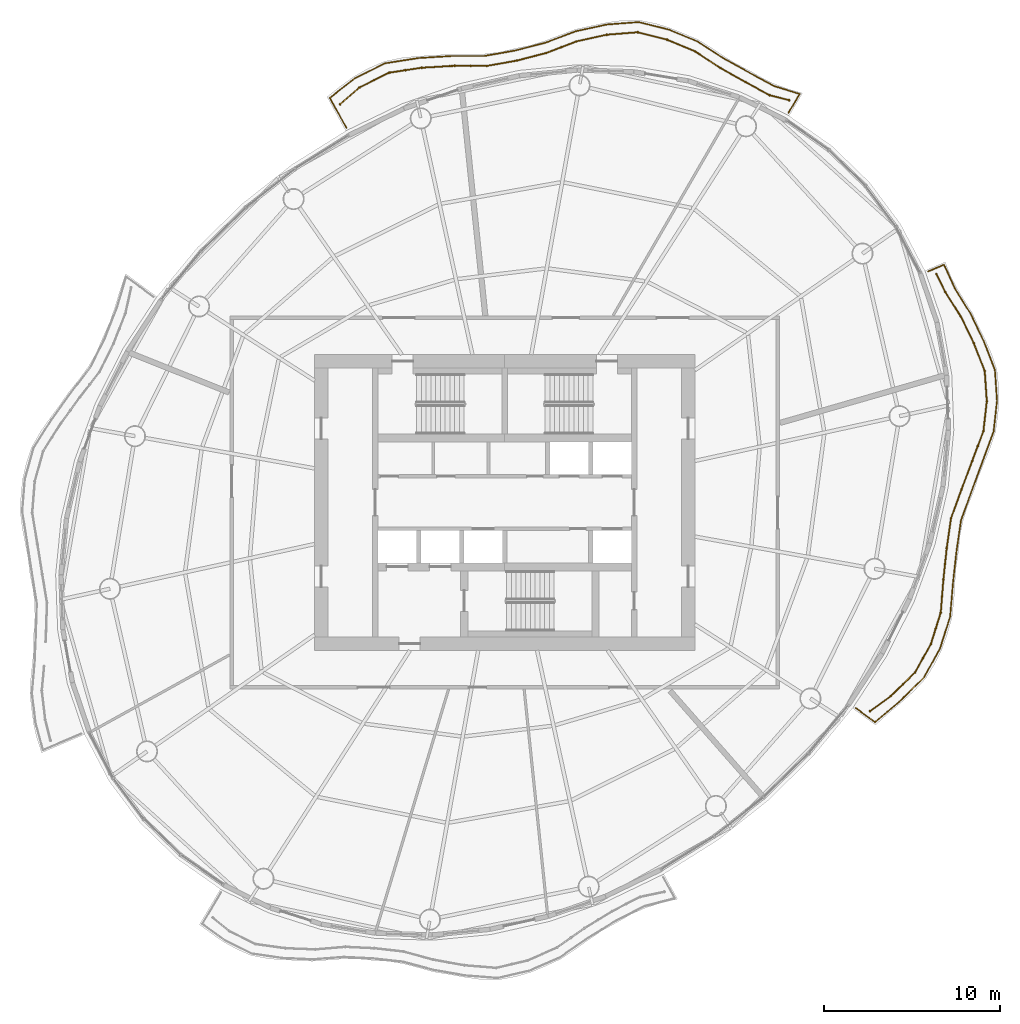
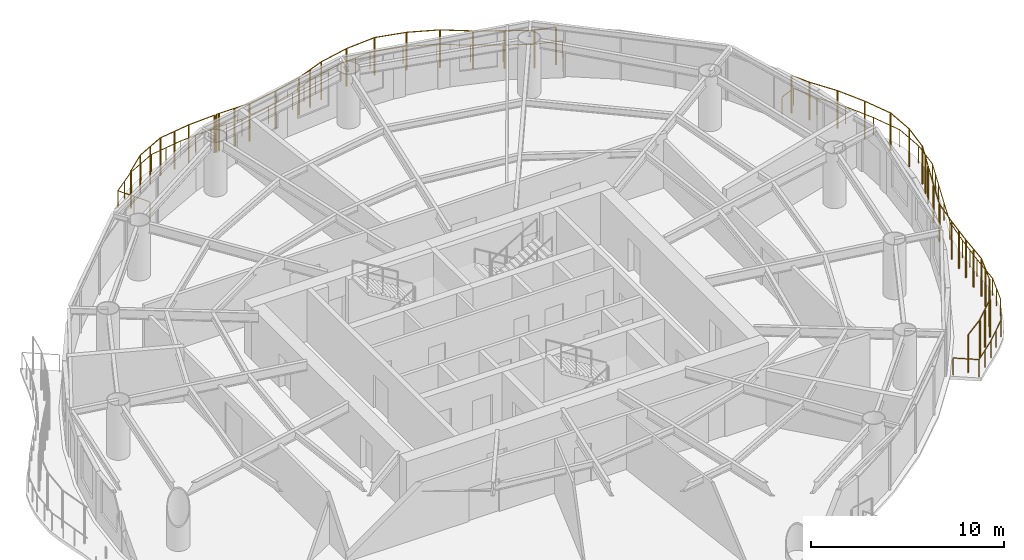
# One storey, part 14 of 14: 5 railings.
"""IFC4 building model written with IfcOpenShell, lengths in metres."""

from ifc_helpers import new_model, si_unit, direction, frame, origin, origin_2d, place, context, subcontext, project, spatial, circle, extrude, material, type_object, element, save


model = new_model("IFC4")

# Units and contexts
model_context = context("Model", 3, precision=1e-05, world=origin(), true_north=direction((0.0, 1.0)))
body_context = subcontext(model_context, "Body", "Model", "MODEL_VIEW")
ifc_project = project(units=[si_unit("LENGTHUNIT", "METRE"), si_unit("AREAUNIT", "SQUARE_METRE"), si_unit("VOLUMEUNIT", "CUBIC_METRE"), si_unit("PLANEANGLEUNIT", "RADIAN"), si_unit("MASSUNIT", "GRAM", prefix="KILO")], contexts=[model_context])

# Site, building, storey
site_placement = place(None, origin())
site = spatial("IfcSite", under=ifc_project, at=site_placement, CompositionType="ELEMENT")
building_placement = place(site_placement, origin())
building = spatial("IfcBuilding", under=site, at=building_placement, Name="Vermilion Reach Broadcast Tower", CompositionType="ELEMENT")
storey_placement = place(building_placement, frame((0.0, 0.0, 199.300048828125)))
storey = spatial("IfcBuildingStorey", under=building, at=storey_placement, Name="L48", CompositionType="ELEMENT", Elevation=199.300048828125)

# Railings
ifc_material_1 = material(Name="Terracotta baguette", Category="masonry")
railing_type_1 = type_object("IfcRailingType", Name="BAGUETTE SCREEN", PredefinedType="USERDEFINED", material=ifc_material_1)
railing_1_placement = place(storey_placement, frame((10.15673828125, 22.84716796875, 0.0)))
element("IfcRailing", 1, at=railing_1_placement, inside=storey, type_object=railing_type_1, Name="Baguette screen L48 group 1 part 1", ObjectType="BAGUETTE SCREEN", PredefinedType="USERDEFINED", context=body_context, shape_type="SweptSolid", body=[
    extrude(circle(Radius=0.030029296875, at=origin_2d()), frame((0.0, 0.0, 2.369873046875), z_axis=(-0.968046551982, 0.25077055887, 0.0), x_axis=(-0.25077055887, -0.968046551982, 0.0)), (0.0, 0.0, 1.0), 1.149658203125),
    extrude(circle(Radius=0.030029296875, at=origin_2d()), frame((-1.113037109375, 0.288330078125, 2.369873046875), z_axis=(-0.879651727928, 0.47561837386, 0.0), x_axis=(-0.47561837386, -0.879651727928, 0.0)), (0.0, 0.0, 1.0), 1.56201171875),
    extrude(circle(Radius=0.030029296875, at=origin_2d()), frame((-2.487060546875, 1.03125, 2.369873046875), z_axis=(-0.871703771333, 0.4900331979, 0.0), x_axis=(-0.4900331979, -0.871703771333, 0.0)), (0.0, 0.0, 1.0), 1.626708984375),
    extrude(circle(Radius=0.030029296875, at=origin_2d()), frame((-3.905029296875, 1.828369140625, 2.369873046875), z_axis=(-0.835066952955, 0.550148329164, 0.0), x_axis=(-0.550148329164, -0.835066952955, 0.0)), (0.0, 0.0, 1.0), 1.711181640625),
    extrude(circle(Radius=0.030029296875, at=origin_2d()), frame((-5.333984375, 2.769775390625, 2.369873046875), z_axis=(-0.922537898151, 0.385906499654, 0.0), x_axis=(-0.385906499654, -0.922537898151, 0.0)), (0.0, 0.0, 1.0), 1.7314453125),
    extrude(circle(Radius=0.030029296875, at=origin_2d()), frame((-6.931396484375, 3.43798828125, 2.369873046875), z_axis=(-0.9694466683, 0.245302175534, 0.0), x_axis=(-0.245302175534, -0.9694466683, 0.0)), (0.0, 0.0, 1.0), 1.722900390625),
    extrude(circle(Radius=0.030029296875, at=origin_2d()), frame((-8.6015625, 3.860595703125, 2.369873046875), z_axis=(-0.996957117387, -0.077951947319, 0.0), x_axis=(0.077951947319, -0.996957117387, 0.0)), (0.0, 0.0, 1.0), 1.76953125),
    extrude(circle(Radius=0.030029296875, at=origin_2d()), frame((-10.36572265625, 3.72265625, 2.369873046875), z_axis=(-0.976355874564, -0.216169392386, 0.0), x_axis=(0.216169392386, -0.976355874564, 0.0)), (0.0, 0.0, 1.0), 1.766357421875),
    extrude(circle(Radius=0.030029296875, at=origin_2d()), frame((-12.09033203125, 3.3408203125, 2.369873046875), z_axis=(-0.933773769887, -0.357863866114, 0.0), x_axis=(0.357863866114, -0.933773769887, 0.0)), (0.0, 0.0, 1.0), 1.819580078125),
    extrude(circle(Radius=0.030029296875, at=origin_2d()), frame((-13.789306640625, 2.689697265625, 2.369873046875), z_axis=(-0.967438239391, -0.253107196588, 0.0), x_axis=(0.253107196588, -0.967438239391, 0.0)), (0.0, 0.0, 1.0), 1.7255859375),
    extrude(circle(Radius=0.030029296875, at=origin_2d()), frame((-15.458740234375, 2.2529296875, 2.369873046875), z_axis=(-0.984768064636, -0.173873111412, 0.0), x_axis=(0.173873111412, -0.984768064636, 0.0)), (0.0, 0.0, 1.0), 1.745361328125),
    extrude(circle(Radius=0.030029296875, at=origin_2d()), frame((-17.177490234375, 1.949462890625, 2.369873046875), z_axis=(-0.99999434845, 0.003362003592, 0.0), x_axis=(-0.003362003592, -0.99999434845, 0.0)), (0.0, 0.0, 1.0), 1.8154296875),
    extrude(circle(Radius=0.030029296875, at=origin_2d()), frame((-18.992919921875, 1.95556640625, 2.369873046875), z_axis=(-0.99836151774, -0.057221323792, 0.0), x_axis=(0.057221323792, -0.99836151774, 0.0)), (0.0, 0.0, 1.0), 0.162109375),
    extrude(circle(Radius=0.050048828125, at=origin_2d()), origin(), (0.0, 0.0, 1.0), 2.33984375),
    extrude(circle(Radius=0.050048828125, at=origin_2d()), frame((-1.113037109375, 0.288330078125, 0.0)), (0.0, 0.0, 1.0), 2.33984375),
    extrude(circle(Radius=0.050048828125, at=origin_2d()), frame((-2.487060546875, 1.03125, 0.0)), (0.0, 0.0, 1.0), 2.33984375),
    extrude(circle(Radius=0.050048828125, at=origin_2d()), frame((-3.905029296875, 1.828369140625, 0.0)), (0.0, 0.0, 1.0), 2.33984375),
    extrude(circle(Radius=0.050048828125, at=origin_2d()), frame((-5.333984375, 2.769775390625, 0.0)), (0.0, 0.0, 1.0), 2.33984375),
    extrude(circle(Radius=0.050048828125, at=origin_2d()), frame((-6.931396484375, 3.43798828125, 0.0)), (0.0, 0.0, 1.0), 2.33984375),
    extrude(circle(Radius=0.050048828125, at=origin_2d()), frame((-8.6015625, 3.860595703125, 0.0)), (0.0, 0.0, 1.0), 2.33984375),
    extrude(circle(Radius=0.050048828125, at=origin_2d()), frame((-10.36572265625, 3.72265625, 0.0)), (0.0, 0.0, 1.0), 2.33984375),
    extrude(circle(Radius=0.050048828125, at=origin_2d()), frame((-12.09033203125, 3.3408203125, 0.0)), (0.0, 0.0, 1.0), 2.33984375),
    extrude(circle(Radius=0.050048828125, at=origin_2d()), frame((-12.93994140625, 3.01513671875, 0.0)), (0.0, 0.0, 1.0), 2.33984375),
    extrude(circle(Radius=0.050048828125, at=origin_2d()), frame((-13.789306640625, 2.689697265625, 0.0)), (0.0, 0.0, 1.0), 2.33984375),
    extrude(circle(Radius=0.050048828125, at=origin_2d()), frame((-15.458740234375, 2.2529296875, 0.0)), (0.0, 0.0, 1.0), 2.33984375),
    extrude(circle(Radius=0.050048828125, at=origin_2d()), frame((-17.177490234375, 1.949462890625, 0.0)), (0.0, 0.0, 1.0), 2.33984375),
    extrude(circle(Radius=0.050048828125, at=origin_2d()), frame((-18.085205078125, 1.95263671875, 0.0)), (0.0, 0.0, 1.0), 2.33984375),
    extrude(circle(Radius=0.050048828125, at=origin_2d()), frame((-18.992919921875, 1.95556640625, 0.0)), (0.0, 0.0, 1.0), 2.33984375),
    extrude(circle(Radius=0.050048828125, at=origin_2d()), frame((-19.15478515625, 1.9462890625, 0.0)), (0.0, 0.0, 1.0), 2.33984375),
])
railing_2_placement = place(storey_placement, frame((-9.12060546875, 24.786376953125, 0.0)))
element("IfcRailing", 2, at=railing_2_placement, inside=storey, type_object=railing_type_1, Name="Baguette screen L48 group 1 part 2", ObjectType="BAGUETTE SCREEN", PredefinedType="USERDEFINED", context=body_context, shape_type="SweptSolid", body=[
    extrude(circle(Radius=0.030029296875, at=origin_2d()), frame((0.0, 0.0, 2.369873046875), z_axis=(-0.998346545631, -0.05748195219, 0.0), x_axis=(0.05748195219, -0.998346545631, 0.0)), (0.0, 0.0, 1.0), 1.5927734375),
    extrude(circle(Radius=0.030029296875, at=origin_2d()), frame((-1.590087890625, -0.091552734375, 2.369873046875), z_axis=(-0.988518056474, -0.151102786294, 0.0), x_axis=(0.151102786294, -0.988518056474, 0.0)), (0.0, 0.0, 1.0), 1.884033203125),
    extrude(circle(Radius=0.030029296875, at=origin_2d()), frame((-3.452392578125, -0.376220703125, 2.369873046875), z_axis=(-0.895386091584, -0.445290632058, 0.0), x_axis=(0.445290632058, -0.895386091584, 0.0)), (0.0, 0.0, 1.0), 1.880126953125),
    extrude(circle(Radius=0.030029296875, at=origin_2d()), frame((-5.1357421875, -1.21337890625, 2.369873046875), z_axis=(-0.754764343507, -0.655996025728, 0.0), x_axis=(0.655996025728, -0.754764343507, 0.0)), (0.0, 0.0, 1.0), 1.455810546875),
    extrude(circle(Radius=0.050048828125, at=origin_2d()), origin(), (0.0, 0.0, 1.0), 2.33984375),
    extrude(circle(Radius=0.050048828125, at=origin_2d()), frame((-1.590087890625, -0.091552734375, 0.0)), (0.0, 0.0, 1.0), 2.33984375),
    extrude(circle(Radius=0.050048828125, at=origin_2d()), frame((-2.521240234375, -0.23388671875, 0.0)), (0.0, 0.0, 1.0), 2.33984375),
    extrude(circle(Radius=0.050048828125, at=origin_2d()), frame((-3.452392578125, -0.376220703125, 0.0)), (0.0, 0.0, 1.0), 2.33984375),
    extrude(circle(Radius=0.050048828125, at=origin_2d()), frame((-4.2939453125, -0.794921875, 0.0)), (0.0, 0.0, 1.0), 2.33984375),
    extrude(circle(Radius=0.050048828125, at=origin_2d()), frame((-5.1357421875, -1.21337890625, 0.0)), (0.0, 0.0, 1.0), 2.33984375),
    extrude(circle(Radius=0.050048828125, at=origin_2d()), frame((-6.234619140625, -2.16845703125, 0.0)), (0.0, 0.0, 1.0), 2.33984375),
])
railing_3_placement = place(storey_placement, frame((14.739990234375, -11.855224609375, 0.0)))
element("IfcRailing", 3, at=railing_3_placement, inside=storey, type_object=railing_type_1, Name="Baguette screen L48 group 4", ObjectType="BAGUETTE SCREEN", PredefinedType="USERDEFINED", context=body_context, shape_type="SweptSolid", body=[
    extrude(circle(Radius=0.030029296875, at=origin_2d()), frame((0.0, 0.0, 2.369873046875), z_axis=(0.809511691652, 0.587103756656, 0.0), x_axis=(-0.587103756656, 0.809511691652, 0.0)), (0.0, 0.0, 1.0), 1.46875),
    extrude(circle(Radius=0.030029296875, at=origin_2d()), frame((1.18896484375, 0.8623046875, 2.369873046875), z_axis=(0.716502919076, 0.697584093107, 0.0), x_axis=(-0.697584093107, 0.716502919076, 0.0)), (0.0, 0.0, 1.0), 1.9228515625),
    extrude(circle(Radius=0.030029296875, at=origin_2d()), frame((2.566650390625, 2.20361328125, 2.369873046875), z_axis=(0.48543006018, 0.874275503874, 0.0), x_axis=(-0.874275503874, 0.48543006018, 0.0)), (0.0, 0.0, 1.0), 1.850341796875),
    extrude(circle(Radius=0.030029296875, at=origin_2d()), frame((3.46484375, 3.8212890625, 2.369873046875), z_axis=(0.300661092049, 0.953731045803, 0.0), x_axis=(-0.953731045803, 0.300661092049, 0.0)), (0.0, 0.0, 1.0), 1.863525390625),
    extrude(circle(Radius=0.030029296875, at=origin_2d()), frame((4.025146484375, 5.5986328125, 2.369873046875), z_axis=(0.078739988629, 0.996895187164, 0.0), x_axis=(-0.996895187164, 0.078739988629, 0.0)), (0.0, 0.0, 1.0), 1.872802734375),
    extrude(circle(Radius=0.030029296875, at=origin_2d()), frame((4.172607421875, 7.465576171875, 2.369873046875), z_axis=(0.105501487107, 0.994419145139, 0.0), x_axis=(-0.994419145139, 0.105501487107, 0.0)), (0.0, 0.0, 1.0), 1.804931640625),
    extrude(circle(Radius=0.030029296875, at=origin_2d()), frame((4.363037109375, 9.260498046875, 2.369873046875), z_axis=(0.142396175651, 0.989809743921, 0.0), x_axis=(-0.989809743921, 0.142396175651, 0.0)), (0.0, 0.0, 1.0), 1.718017578125),
    extrude(circle(Radius=0.030029296875, at=origin_2d()), frame((4.607666015625, 10.9609375, 2.369873046875), z_axis=(0.343090076453, 0.939302506885, 0.0), x_axis=(-0.939302506885, 0.343090076453, 0.0)), (0.0, 0.0, 1.0), 1.731201171875),
    extrude(circle(Radius=0.030029296875, at=origin_2d()), frame((5.20166015625, 12.587158203125, 2.369873046875), z_axis=(0.350151204813, 0.936693190841, 0.0), x_axis=(-0.936693190841, 0.350151204813, 0.0)), (0.0, 0.0, 1.0), 1.734130859375),
    extrude(circle(Radius=0.030029296875, at=origin_2d()), frame((5.808837890625, 14.21142578125, 2.369873046875), z_axis=(0.353216125427, 0.935541751467, 0.0), x_axis=(-0.935541751467, 0.353216125427, 0.0)), (0.0, 0.0, 1.0), 1.802001953125),
    extrude(circle(Radius=0.030029296875, at=origin_2d()), frame((6.4453125, 15.897216796875, 2.369873046875), z_axis=(0.113286015344, 0.993562418134, 0.0), x_axis=(-0.993562418134, 0.113286015344, 0.0)), (0.0, 0.0, 1.0), 1.717529296875),
    extrude(circle(Radius=0.030029296875, at=origin_2d()), frame((6.639892578125, 17.603759765625, 2.369873046875), z_axis=(-0.06757427168, 0.997714246569, 0.0), x_axis=(-0.997714246569, -0.06757427168, 0.0)), (0.0, 0.0, 1.0), 1.7197265625),
    extrude(circle(Radius=0.030029296875, at=origin_2d()), frame((6.523681640625, 19.319580078125, 2.369873046875), z_axis=(-0.366225452975, 0.930526150945, 0.0), x_axis=(-0.930526150945, -0.366225452975, 0.0)), (0.0, 0.0, 1.0), 1.71337890625),
    extrude(circle(Radius=0.030029296875, at=origin_2d()), frame((5.896240234375, 20.913818359375, 2.369873046875), z_axis=(-0.43847198821, 0.898744855649, 0.0), x_axis=(-0.898744855649, -0.43847198821, 0.0)), (0.0, 0.0, 1.0), 1.69091796875),
    extrude(circle(Radius=0.030029296875, at=origin_2d()), frame((5.15478515625, 22.43359375, 2.369873046875), z_axis=(-0.534485557604, 0.845177607792, 0.0), x_axis=(-0.845177607792, -0.534485557604, 0.0)), (0.0, 0.0, 1.0), 1.640625),
    extrude(circle(Radius=0.030029296875, at=origin_2d()), frame((4.27783203125, 23.8203125, 2.369873046875), z_axis=(-0.445026471926, 0.895517414284, 0.0), x_axis=(-0.895517414284, -0.445026471926, 0.0)), (0.0, 0.0, 1.0), 1.116943359375),
    extrude(circle(Radius=0.050048828125, at=origin_2d()), origin(), (0.0, 0.0, 1.0), 2.33984375),
    extrude(circle(Radius=0.050048828125, at=origin_2d()), frame((1.18896484375, 0.8623046875, 0.0)), (0.0, 0.0, 1.0), 2.33984375),
    extrude(circle(Radius=0.050048828125, at=origin_2d()), frame((1.8779296875, 1.532958984375, 0.0)), (0.0, 0.0, 1.0), 2.33984375),
    extrude(circle(Radius=0.050048828125, at=origin_2d()), frame((2.566650390625, 2.20361328125, 0.0)), (0.0, 0.0, 1.0), 2.33984375),
    extrude(circle(Radius=0.050048828125, at=origin_2d()), frame((3.015625, 3.012451171875, 0.0)), (0.0, 0.0, 1.0), 2.33984375),
    extrude(circle(Radius=0.050048828125, at=origin_2d()), frame((3.46484375, 3.8212890625, 0.0)), (0.0, 0.0, 1.0), 2.33984375),
    extrude(circle(Radius=0.050048828125, at=origin_2d()), frame((3.7451171875, 4.7099609375, 0.0)), (0.0, 0.0, 1.0), 2.33984375),
    extrude(circle(Radius=0.050048828125, at=origin_2d()), frame((4.025146484375, 5.5986328125, 0.0)), (0.0, 0.0, 1.0), 2.33984375),
    extrude(circle(Radius=0.050048828125, at=origin_2d()), frame((4.098876953125, 6.5322265625, 0.0)), (0.0, 0.0, 1.0), 2.33984375),
    extrude(circle(Radius=0.050048828125, at=origin_2d()), frame((4.172607421875, 7.465576171875, 0.0)), (0.0, 0.0, 1.0), 2.33984375),
    extrude(circle(Radius=0.050048828125, at=origin_2d()), frame((4.267822265625, 8.363037109375, 0.0)), (0.0, 0.0, 1.0), 2.33984375),
    extrude(circle(Radius=0.050048828125, at=origin_2d()), frame((4.363037109375, 9.260498046875, 0.0)), (0.0, 0.0, 1.0), 2.33984375),
    extrude(circle(Radius=0.050048828125, at=origin_2d()), frame((4.607666015625, 10.9609375, 0.0)), (0.0, 0.0, 1.0), 2.33984375),
    extrude(circle(Radius=0.050048828125, at=origin_2d()), frame((5.20166015625, 12.587158203125, 0.0)), (0.0, 0.0, 1.0), 2.33984375),
    extrude(circle(Radius=0.050048828125, at=origin_2d()), frame((5.808837890625, 14.21142578125, 0.0)), (0.0, 0.0, 1.0), 2.33984375),
    extrude(circle(Radius=0.050048828125, at=origin_2d()), frame((6.126953125, 15.05419921875, 0.0)), (0.0, 0.0, 1.0), 2.33984375),
    extrude(circle(Radius=0.050048828125, at=origin_2d()), frame((6.4453125, 15.897216796875, 0.0)), (0.0, 0.0, 1.0), 2.33984375),
    extrude(circle(Radius=0.050048828125, at=origin_2d()), frame((6.639892578125, 17.603759765625, 0.0)), (0.0, 0.0, 1.0), 2.33984375),
    extrude(circle(Radius=0.050048828125, at=origin_2d()), frame((6.523681640625, 19.319580078125, 0.0)), (0.0, 0.0, 1.0), 2.33984375),
    extrude(circle(Radius=0.050048828125, at=origin_2d()), frame((5.896240234375, 20.913818359375, 0.0)), (0.0, 0.0, 1.0), 2.33984375),
    extrude(circle(Radius=0.050048828125, at=origin_2d()), frame((5.15478515625, 22.43359375, 0.0)), (0.0, 0.0, 1.0), 2.33984375),
    extrude(circle(Radius=0.050048828125, at=origin_2d()), frame((4.27783203125, 23.8203125, 0.0)), (0.0, 0.0, 1.0), 2.33984375),
    extrude(circle(Radius=0.050048828125, at=origin_2d()), frame((3.78076171875, 24.820556640625, 0.0)), (0.0, 0.0, 1.0), 2.33984375),
])
ifc_material_2 = material(Name="Stainless steel 316 balustrade", Category="steel")
railing_type_2 = type_object("IfcRailingType", Name="Balcony guard 1100", PredefinedType="BALUSTRADE", material=ifc_material_2)
railing_4_placement = place(storey_placement, frame((10.12158203125, 22.142333984375, 0.0)))
element("IfcRailing", 4, at=railing_4_placement, inside=storey, type_object=railing_type_2, Name="Balcony guard L48 group 1", PredefinedType="BALUSTRADE", context=body_context, shape_type="SweptSolid", body=[
    extrude(circle(Radius=0.02490234375, at=origin_2d()), frame((0.0, 0.0, 1.0751953125), z_axis=(0.509758859788, 0.860317328006, 0.0), x_axis=(-0.860317328006, 0.509758859788, 0.0)), (0.0, 0.0, 1.0), 1.22998046875),
    extrude(circle(Radius=0.02490234375, at=origin_2d()), frame((0.626953125, 1.05810546875, 1.0751953125), z_axis=(-0.953992403044, 0.299830777162, 0.0), x_axis=(-0.299830777162, -0.953992403044, 0.0)), (0.0, 0.0, 1.0), 1.5185546875),
    extrude(circle(Radius=0.02490234375, at=origin_2d()), frame((-0.82177734375, 1.513427734375, 1.0751953125), z_axis=(-0.8805443517, 0.473963758835, 0.0), x_axis=(-0.473963758835, -0.8805443517, 0.0)), (0.0, 0.0, 1.0), 1.60498046875),
    extrude(circle(Radius=0.02490234375, at=origin_2d()), frame((-2.235107421875, 2.274169921875, 1.0751953125), z_axis=(-0.873777552348, 0.486325805416, 0.0), x_axis=(-0.486325805416, -0.873777552348, 0.0)), (0.0, 0.0, 1.0), 1.669189453125),
    extrude(circle(Radius=0.02490234375, at=origin_2d()), frame((-3.693603515625, 3.0859375, 1.0751953125), z_axis=(-0.839042162288, 0.544066402109, 0.0), x_axis=(-0.544066402109, -0.839042162288, 0.0)), (0.0, 0.0, 1.0), 1.75048828125),
    extrude(circle(Radius=0.02490234375, at=origin_2d()), frame((-5.162353515625, 4.038330078125, 1.0751953125), z_axis=(-0.924266710089, 0.381747362298, 0.0), x_axis=(-0.381747362298, -0.924266710089, 0.0)), (0.0, 0.0, 1.0), 1.772216796875),
    extrude(circle(Radius=0.02490234375, at=origin_2d()), frame((-6.80029296875, 4.71484375, 1.0751953125), z_axis=(-0.970044601616, 0.242926883805, 0.0), x_axis=(-0.242926883805, -0.970044601616, 0.0)), (0.0, 0.0, 1.0), 1.76171875),
    extrude(circle(Radius=0.02490234375, at=origin_2d()), frame((-8.50927734375, 5.142822265625, 1.0751953125), z_axis=(-0.997188727306, -0.07493091574, 0.0), x_axis=(0.07493091574, -0.997188727306, 0.0)), (0.0, 0.0, 1.0), 1.808349609375),
    extrude(circle(Radius=0.02490234375, at=origin_2d()), frame((-10.3125, 5.00732421875, 1.0751953125), z_axis=(-0.977314264577, -0.211794306471, 0.0), x_axis=(0.211794306471, -0.977314264577, 0.0)), (0.0, 0.0, 1.0), 1.802978515625),
    extrude(circle(Radius=0.02490234375, at=origin_2d()), frame((-12.074462890625, 4.62548828125, 1.0751953125), z_axis=(-0.935836094831, -0.352435531143, 0.0), x_axis=(0.352435531143, -0.935836094831, 0.0)), (0.0, 0.0, 1.0), 1.855224609375),
    extrude(circle(Radius=0.02490234375, at=origin_2d()), frame((-13.810546875, 3.9716796875, 1.0751953125), z_axis=(-0.968102854024, -0.250553116187, 0.0), x_axis=(0.250553116187, -0.968102854024, 0.0)), (0.0, 0.0, 1.0), 1.7607421875),
    extrude(circle(Radius=0.02490234375, at=origin_2d()), frame((-15.51513671875, 3.530517578125, 1.0751953125), z_axis=(-0.984726921946, -0.174105971164, 0.0), x_axis=(0.174105971164, -0.984726921946, 0.0)), (0.0, 0.0, 1.0), 1.78076171875),
    extrude(circle(Radius=0.02490234375, at=origin_2d()), frame((-17.268798828125, 3.220458984375, 1.0751953125), z_axis=(-0.999999293255, -0.001188902726, 0.0), x_axis=(0.001188902726, -0.999999293255, 0.0)), (0.0, 0.0, 1.0), 1.84814453125),
    extrude(circle(Radius=0.02490234375, at=origin_2d()), frame((-19.116943359375, 3.21826171875, 1.0751953125), z_axis=(-0.998077852845, -0.061972571838, 0.0), x_axis=(0.061972571838, -0.998077852845, 0.0)), (0.0, 0.0, 1.0), 1.91064453125),
    extrude(circle(Radius=0.02490234375, at=origin_2d()), frame((-21.02392578125, 3.099853515625, 1.0751953125), z_axis=(-0.987958517818, -0.15471899389, 0.0), x_axis=(0.15471899389, -0.987958517818, 0.0)), (0.0, 0.0, 1.0), 1.91552734375),
    extrude(circle(Radius=0.02490234375, at=origin_2d()), frame((-22.91650390625, 2.803466796875, 1.0751953125), z_axis=(-0.895725438012, -0.444607624426, 0.0), x_axis=(0.444607624426, -0.895725438012, 0.0)), (0.0, 0.0, 1.0), 1.91259765625),
    extrude(circle(Radius=0.02490234375, at=origin_2d()), frame((-24.629638671875, 1.953125, 1.0751953125), z_axis=(-0.787997756741, -0.615678110194, 0.0), x_axis=(0.615678110194, -0.787997756741, 0.0)), (0.0, 0.0, 1.0), 1.807861328125),
    extrude(circle(Radius=0.02490234375, at=origin_2d()), frame((-26.05419921875, 0.840087890625, 1.0751953125), z_axis=(0.483017331198, -0.875610791255, 0.0), x_axis=(0.875610791255, 0.483017331198, 0.0)), (0.0, 0.0, 1.0), 1.935791015625),
    extrude(circle(Radius=0.02490234375, at=origin_2d()), origin(), (0.0, 0.0, 1.0), 1.050048828125),
    extrude(circle(Radius=0.02490234375, at=origin_2d()), frame((0.626953125, 1.05810546875, 0.0)), (0.0, 0.0, 1.0), 1.050048828125),
    extrude(circle(Radius=0.02490234375, at=origin_2d()), frame((-0.82177734375, 1.513427734375, 0.0)), (0.0, 0.0, 1.0), 1.050048828125),
    extrude(circle(Radius=0.02490234375, at=origin_2d()), frame((-2.235107421875, 2.274169921875, 0.0)), (0.0, 0.0, 1.0), 1.050048828125),
    extrude(circle(Radius=0.02490234375, at=origin_2d()), frame((-3.693603515625, 3.0859375, 0.0)), (0.0, 0.0, 1.0), 1.050048828125),
    extrude(circle(Radius=0.02490234375, at=origin_2d()), frame((-5.162353515625, 4.038330078125, 0.0)), (0.0, 0.0, 1.0), 1.050048828125),
    extrude(circle(Radius=0.02490234375, at=origin_2d()), frame((-6.80029296875, 4.71484375, 0.0)), (0.0, 0.0, 1.0), 1.050048828125),
    extrude(circle(Radius=0.02490234375, at=origin_2d()), frame((-8.50927734375, 5.142822265625, 0.0)), (0.0, 0.0, 1.0), 1.050048828125),
    extrude(circle(Radius=0.02490234375, at=origin_2d()), frame((-9.410888671875, 5.0751953125, 0.0)), (0.0, 0.0, 1.0), 1.050048828125),
    extrude(circle(Radius=0.02490234375, at=origin_2d()), frame((-10.3125, 5.00732421875, 0.0)), (0.0, 0.0, 1.0), 1.050048828125),
    extrude(circle(Radius=0.02490234375, at=origin_2d()), frame((-11.193359375, 4.81640625, 0.0)), (0.0, 0.0, 1.0), 1.050048828125),
    extrude(circle(Radius=0.02490234375, at=origin_2d()), frame((-12.074462890625, 4.62548828125, 0.0)), (0.0, 0.0, 1.0), 1.050048828125),
    extrude(circle(Radius=0.02490234375, at=origin_2d()), frame((-12.9423828125, 4.298583984375, 0.0)), (0.0, 0.0, 1.0), 1.050048828125),
    extrude(circle(Radius=0.02490234375, at=origin_2d()), frame((-13.810546875, 3.9716796875, 0.0)), (0.0, 0.0, 1.0), 1.050048828125),
    extrude(circle(Radius=0.02490234375, at=origin_2d()), frame((-15.51513671875, 3.530517578125, 0.0)), (0.0, 0.0, 1.0), 1.050048828125),
    extrude(circle(Radius=0.02490234375, at=origin_2d()), frame((-17.268798828125, 3.220458984375, 0.0)), (0.0, 0.0, 1.0), 1.050048828125),
    extrude(circle(Radius=0.02490234375, at=origin_2d()), frame((-18.19287109375, 3.21923828125, 0.0)), (0.0, 0.0, 1.0), 1.050048828125),
    extrude(circle(Radius=0.02490234375, at=origin_2d()), frame((-19.116943359375, 3.21826171875, 0.0)), (0.0, 0.0, 1.0), 1.050048828125),
    extrude(circle(Radius=0.02490234375, at=origin_2d()), frame((-20.0703125, 3.1591796875, 0.0)), (0.0, 0.0, 1.0), 1.050048828125),
    extrude(circle(Radius=0.02490234375, at=origin_2d()), frame((-21.02392578125, 3.099853515625, 0.0)), (0.0, 0.0, 1.0), 1.050048828125),
    extrude(circle(Radius=0.02490234375, at=origin_2d()), frame((-21.97021484375, 2.95166015625, 0.0)), (0.0, 0.0, 1.0), 1.050048828125),
    extrude(circle(Radius=0.02490234375, at=origin_2d()), frame((-22.91650390625, 2.803466796875, 0.0)), (0.0, 0.0, 1.0), 1.050048828125),
    extrude(circle(Radius=0.02490234375, at=origin_2d()), frame((-23.77294921875, 2.37841796875, 0.0)), (0.0, 0.0, 1.0), 1.050048828125),
    extrude(circle(Radius=0.02490234375, at=origin_2d()), frame((-24.629638671875, 1.953125, 0.0)), (0.0, 0.0, 1.0), 1.050048828125),
    extrude(circle(Radius=0.02490234375, at=origin_2d()), frame((-25.341796875, 1.396484375, 0.0)), (0.0, 0.0, 1.0), 1.050048828125),
    extrude(circle(Radius=0.02490234375, at=origin_2d()), frame((-26.05419921875, 0.840087890625, 0.0)), (0.0, 0.0, 1.0), 1.050048828125),
    extrude(circle(Radius=0.02490234375, at=origin_2d()), frame((-25.586669921875, -0.00732421875, 0.0)), (0.0, 0.0, 1.0), 1.050048828125),
    extrude(circle(Radius=0.02490234375, at=origin_2d()), frame((-25.119140625, -0.85498046875, 0.0)), (0.0, 0.0, 1.0), 1.050048828125),
])
railing_5_placement = place(storey_placement, frame((13.943115234375, -11.678466796875, 0.0)))
element("IfcRailing", 5, at=railing_5_placement, inside=storey, type_object=railing_type_2, Name="Balcony guard L48 group 4", PredefinedType="BALUSTRADE", context=body_context, shape_type="SweptSolid", body=[
    extrude(circle(Radius=0.02490234375, at=origin_2d()), frame((0.0, 0.0, 1.0751953125), z_axis=(0.805735085397, -0.592276094537, 0.0), x_axis=(0.592276094537, 0.805735085397, 0.0)), (0.0, 0.0, 1.0), 1.344970703125),
    extrude(circle(Radius=0.02490234375, at=origin_2d()), frame((1.083740234375, -0.796630859375, 1.0751953125), z_axis=(0.765885367844, 0.642977140591, 0.0), x_axis=(-0.642977140591, 0.765885367844, 0.0)), (0.0, 0.0, 1.0), 1.8115234375),
    extrude(circle(Radius=0.02490234375, at=origin_2d()), frame((2.47119140625, 0.3681640625, 1.0751953125), z_axis=(0.713695651465, 0.700455935145, 0.0), x_axis=(-0.700455935145, 0.713695651465, 0.0)), (0.0, 0.0, 1.0), 1.95458984375),
    extrude(circle(Radius=0.02490234375, at=origin_2d()), frame((3.8662109375, 1.7373046875, 1.0751953125), z_axis=(0.485180497676, 0.874414023604, 0.0), x_axis=(-0.874414023604, 0.485180497676, 0.0)), (0.0, 0.0, 1.0), 1.883056640625),
    extrude(circle(Radius=0.02490234375, at=origin_2d()), frame((4.77978515625, 3.3837890625, 1.0751953125), z_axis=(0.302916825697, 0.953016997073, 0.0), x_axis=(-0.953016997073, 0.302916825697, 0.0)), (0.0, 0.0, 1.0), 1.897216796875),
    extrude(circle(Radius=0.02490234375, at=origin_2d()), frame((5.3544921875, 5.19189453125, 1.0751953125), z_axis=(0.083936289311, 0.996471123183, 0.0), x_axis=(-0.996471123183, 0.083936289311, 0.0)), (0.0, 0.0, 1.0), 1.9052734375),
    extrude(circle(Radius=0.02490234375, at=origin_2d()), frame((5.514404296875, 7.09033203125, 1.0751953125), z_axis=(0.109484712382, 0.993988479689, 0.0), x_axis=(-0.993988479689, 0.109484712382, 0.0)), (0.0, 0.0, 1.0), 1.839599609375),
    extrude(circle(Radius=0.02490234375, at=origin_2d()), frame((5.7158203125, 8.9189453125, 1.0751953125), z_axis=(0.144832434201, 0.989456197112, 0.0), x_axis=(-0.989456197112, 0.144832434201, 0.0)), (0.0, 0.0, 1.0), 1.753173828125),
    extrude(circle(Radius=0.02490234375, at=origin_2d()), frame((5.9697265625, 10.653564453125, 1.0751953125), z_axis=(0.339946425669, 0.940444803099, 0.0), x_axis=(-0.940444803099, 0.339946425669, 0.0)), (0.0, 0.0, 1.0), 1.76806640625),
    extrude(circle(Radius=0.02490234375, at=origin_2d()), frame((6.57080078125, 12.31640625, 1.0751953125), z_axis=(0.345782058334, 0.938314855544, 0.0), x_axis=(-0.938314855544, 0.345782058334, 0.0)), (0.0, 0.0, 1.0), 1.77001953125),
    extrude(circle(Radius=0.02490234375, at=origin_2d()), frame((7.182861328125, 13.977294921875, 1.0751953125), z_axis=(0.347469968876, 0.937691111576, 0.0), x_axis=(-0.937691111576, 0.347469968876, 0.0)), (0.0, 0.0, 1.0), 1.83935546875),
    extrude(circle(Radius=0.02490234375, at=origin_2d()), frame((7.822021484375, 15.7021484375, 1.0751953125), z_axis=(0.110629827741, 0.993861681128, 0.0), x_axis=(-0.993861681128, 0.110629827741, 0.0)), (0.0, 0.0, 1.0), 1.756591796875),
    extrude(circle(Radius=0.02490234375, at=origin_2d()), frame((8.016357421875, 17.447998046875, 1.0751953125), z_axis=(-0.067650691272, 0.9977090678, 0.0), x_axis=(-0.9977090678, -0.067650691272, 0.0)), (0.0, 0.0, 1.0), 1.76123046875),
    extrude(circle(Radius=0.02490234375, at=origin_2d()), frame((7.897216796875, 19.205078125, 1.0751953125), z_axis=(-0.361189409127, 0.932492472213, 0.0), x_axis=(-0.932492472213, -0.361189409127, 0.0)), (0.0, 0.0, 1.0), 1.75341796875),
    extrude(circle(Radius=0.02490234375, at=origin_2d()), frame((7.263916015625, 20.840087890625, 1.0751953125), z_axis=(-0.433184407685, 0.901305313941, 0.0), x_axis=(-0.901305313941, -0.433184407685, 0.0)), (0.0, 0.0, 1.0), 1.733154296875),
    extrude(circle(Radius=0.02490234375, at=origin_2d()), frame((6.51318359375, 22.402099609375, 1.0751953125), z_axis=(-0.52851109762, 0.848926392388, 0.0), x_axis=(-0.848926392388, -0.52851109762, 0.0)), (0.0, 0.0, 1.0), 1.682373046875),
    extrude(circle(Radius=0.02490234375, at=origin_2d()), frame((5.6240234375, 23.830322265625, 1.0751953125), z_axis=(-0.415999908879, 0.909364655027, 0.0), x_axis=(-0.909364655027, -0.415999908879, 0.0)), (0.0, 0.0, 1.0), 1.489501953125),
    extrude(circle(Radius=0.02490234375, at=origin_2d()), frame((5.00439453125, 25.184814453125, 1.0751953125), z_axis=(-0.919055143464, -0.394128967816, 0.0), x_axis=(0.394128967816, -0.919055143464, 0.0)), (0.0, 0.0, 1.0), 0.983642578125),
    extrude(circle(Radius=0.02490234375, at=origin_2d()), origin(), (0.0, 0.0, 1.0), 1.050048828125),
    extrude(circle(Radius=0.02490234375, at=origin_2d()), frame((1.083740234375, -0.796630859375, 0.0)), (0.0, 0.0, 1.0), 1.050048828125),
    extrude(circle(Radius=0.02490234375, at=origin_2d()), frame((1.77734375, -0.21435546875, 0.0)), (0.0, 0.0, 1.0), 1.050048828125),
    extrude(circle(Radius=0.02490234375, at=origin_2d()), frame((2.47119140625, 0.3681640625, 0.0)), (0.0, 0.0, 1.0), 1.050048828125),
    extrude(circle(Radius=0.02490234375, at=origin_2d()), frame((3.168701171875, 1.052734375, 0.0)), (0.0, 0.0, 1.0), 1.050048828125),
    extrude(circle(Radius=0.02490234375, at=origin_2d()), frame((3.8662109375, 1.7373046875, 0.0)), (0.0, 0.0, 1.0), 1.050048828125),
    extrude(circle(Radius=0.02490234375, at=origin_2d()), frame((4.322998046875, 2.560546875, 0.0)), (0.0, 0.0, 1.0), 1.050048828125),
    extrude(circle(Radius=0.02490234375, at=origin_2d()), frame((4.77978515625, 3.3837890625, 0.0)), (0.0, 0.0, 1.0), 1.050048828125),
    extrude(circle(Radius=0.02490234375, at=origin_2d()), frame((5.067138671875, 4.287841796875, 0.0)), (0.0, 0.0, 1.0), 1.050048828125),
    extrude(circle(Radius=0.02490234375, at=origin_2d()), frame((5.3544921875, 5.19189453125, 0.0)), (0.0, 0.0, 1.0), 1.050048828125),
    extrude(circle(Radius=0.02490234375, at=origin_2d()), frame((5.4345703125, 6.14111328125, 0.0)), (0.0, 0.0, 1.0), 1.050048828125),
    extrude(circle(Radius=0.02490234375, at=origin_2d()), frame((5.514404296875, 7.09033203125, 0.0)), (0.0, 0.0, 1.0), 1.050048828125),
    extrude(circle(Radius=0.02490234375, at=origin_2d()), frame((5.615234375, 8.004638671875, 0.0)), (0.0, 0.0, 1.0), 1.050048828125),
    extrude(circle(Radius=0.02490234375, at=origin_2d()), frame((5.7158203125, 8.9189453125, 0.0)), (0.0, 0.0, 1.0), 1.050048828125),
    extrude(circle(Radius=0.02490234375, at=origin_2d()), frame((5.9697265625, 10.653564453125, 0.0)), (0.0, 0.0, 1.0), 1.050048828125),
    extrude(circle(Radius=0.02490234375, at=origin_2d()), frame((6.57080078125, 12.31640625, 0.0)), (0.0, 0.0, 1.0), 1.050048828125),
    extrude(circle(Radius=0.02490234375, at=origin_2d()), frame((7.182861328125, 13.977294921875, 0.0)), (0.0, 0.0, 1.0), 1.050048828125),
    extrude(circle(Radius=0.02490234375, at=origin_2d()), frame((7.50244140625, 14.83984375, 0.0)), (0.0, 0.0, 1.0), 1.050048828125),
    extrude(circle(Radius=0.02490234375, at=origin_2d()), frame((7.822021484375, 15.7021484375, 0.0)), (0.0, 0.0, 1.0), 1.050048828125),
    extrude(circle(Radius=0.02490234375, at=origin_2d()), frame((8.016357421875, 17.447998046875, 0.0)), (0.0, 0.0, 1.0), 1.050048828125),
    extrude(circle(Radius=0.02490234375, at=origin_2d()), frame((7.897216796875, 19.205078125, 0.0)), (0.0, 0.0, 1.0), 1.050048828125),
    extrude(circle(Radius=0.02490234375, at=origin_2d()), frame((7.263916015625, 20.840087890625, 0.0)), (0.0, 0.0, 1.0), 1.050048828125),
    extrude(circle(Radius=0.02490234375, at=origin_2d()), frame((6.51318359375, 22.402099609375, 0.0)), (0.0, 0.0, 1.0), 1.050048828125),
    extrude(circle(Radius=0.02490234375, at=origin_2d()), frame((5.6240234375, 23.830322265625, 0.0)), (0.0, 0.0, 1.0), 1.050048828125),
    extrude(circle(Radius=0.02490234375, at=origin_2d()), frame((5.00439453125, 25.184814453125, 0.0)), (0.0, 0.0, 1.0), 1.050048828125),
    extrude(circle(Radius=0.02490234375, at=origin_2d()), frame((4.100341796875, 24.797119140625, 0.0)), (0.0, 0.0, 1.0), 1.050048828125),
])

save(model, "model.ifc")
